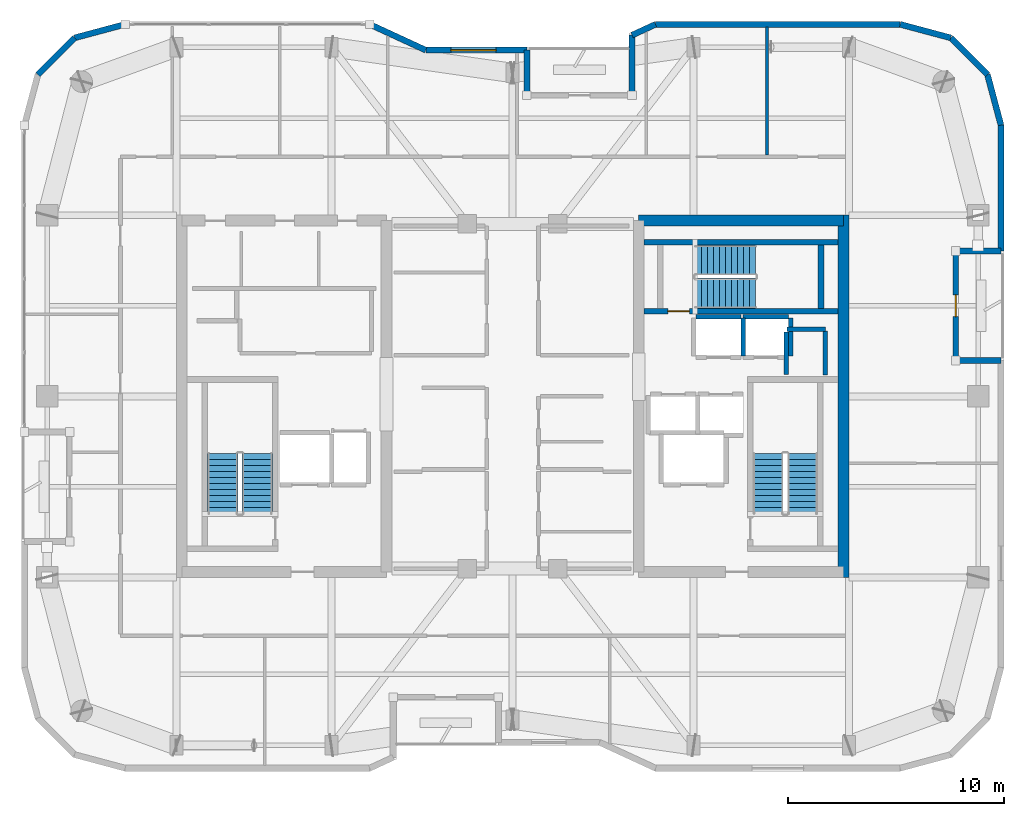
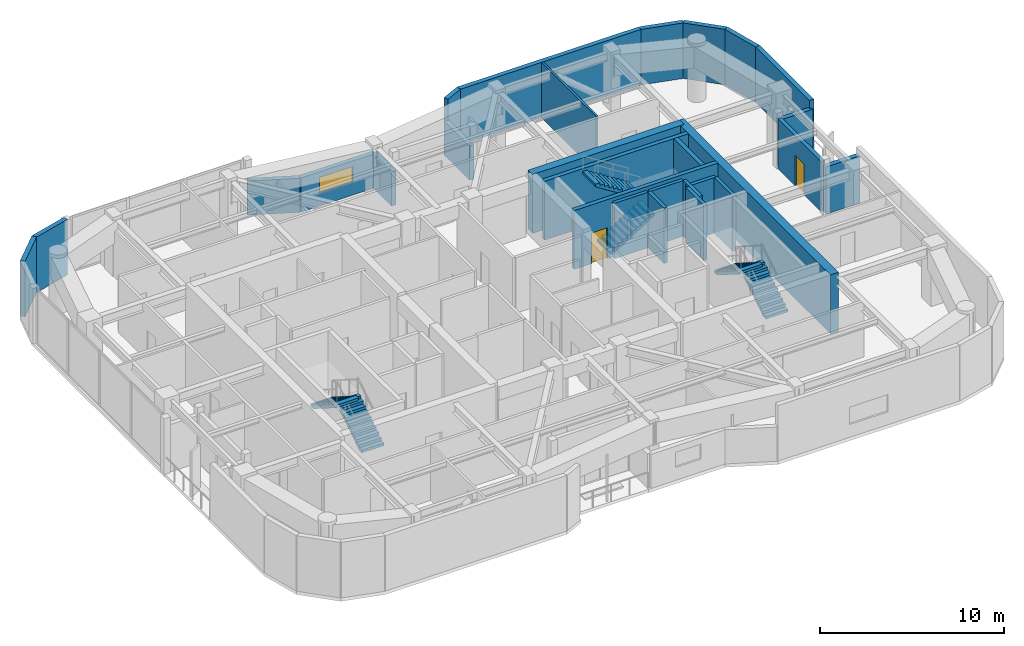
# One storey, part 13 of 15: 28 walls, 6 stair flights, 2 doors, 1 window, 3 openings, 3 elements without a shape of their own.
"""IFC4 building model written with IfcOpenShell, lengths in metres."""

from ifc_helpers import new_model, si_unit, direction, frame, frame_2d, origin, place, context, subcontext, project, spatial, polyline, rectangle, outline, extrude, material, layer, layer_set, type_object, element, fill, aggregate, save


model = new_model("IFC4")

# Units and contexts
model_context = context("Model", 3, precision=1e-05, world=origin(), true_north=direction((0.0, 1.0)))
body_context = subcontext(model_context, "Body", "Model", "MODEL_VIEW")
ifc_project = project(units=[si_unit("LENGTHUNIT", "METRE"), si_unit("AREAUNIT", "SQUARE_METRE"), si_unit("VOLUMEUNIT", "CUBIC_METRE"), si_unit("PLANEANGLEUNIT", "RADIAN"), si_unit("MASSUNIT", "GRAM", prefix="KILO")], contexts=[model_context])

# Site, building, storey
site_placement = place(None, origin())
site = spatial("IfcSite", under=ifc_project, at=site_placement, CompositionType="ELEMENT")
building_placement = place(site_placement, origin())
building = spatial("IfcBuilding", under=site, at=building_placement, Name="Kiyonajd Concourse Tower", CompositionType="ELEMENT")
storey_placement = place(building_placement, frame((0.0, 0.0, 262.800048828125)))
storey = spatial("IfcBuildingStorey", under=building, at=storey_placement, Name="L66", CompositionType="ELEMENT", Elevation=262.800048828125)

# Walls
ifc_material_1 = material(Name="Concrete C60/75", Category="concrete")
ifc_layer_1 = layer(ifc_material_1, 0.5)
ifc_layer_set_1 = layer_set([ifc_layer_1], Name="Concrete C60/75")
wall_type_1 = type_object("IfcWallType", Name="WL-CORE-500", PredefinedType="SHEAR", material=ifc_layer_set_1)
wall_1_placement = place(storey_placement, frame((63.35009765625, 27.60009765625, 0.0), z_axis=(0.0, 0.0, 1.0), x_axis=(0.0, 1.0, 0.0)))
element("IfcWall", 1, at=wall_1_placement, inside=storey, type_object=wall_type_1, Name="L66 East Core Outer Shear Wall", PredefinedType="SHEAR", context=body_context, shape_type="SweptSolid", body=[
    extrude(rectangle(XDim=16.7998046875, YDim=0.5, at=frame_2d((8.39990234375, 0.0))), origin(), (0.0, 0.0, 1.0), 3.89990234375),
])
wall_2_placement = place(storey_placement, frame((53.85009765625, 44.14990234375, 0.0), z_axis=(0.0, 0.0, 1.0), x_axis=(1.0, 0.0, 0.0)))
element("IfcWall", 2, at=wall_2_placement, inside=storey, type_object=wall_type_1, Name="L66 East Core North Shear Wall", PredefinedType="SHEAR", context=body_context, shape_type="SweptSolid", body=[
    extrude(rectangle(XDim=9.5, YDim=0.5, at=frame_2d((4.75, 0.0))), origin(), (0.0, 0.0, 1.0), 3.89990234375),
])
ifc_material_2 = material(Name="Precast concrete C50/60", Category="concrete")
ifc_layer_2 = layer(ifc_material_2, 0.280029296875)
ifc_layer_set_2 = layer_set([ifc_layer_2], Name="Precast concrete C50/60")
wall_type_2 = type_object("IfcWallType", Name="WL-EXT-280", PredefinedType="SOLIDWALL", material=ifc_layer_set_2)
wall_3_placement = place(storey_placement, frame((25.968505859375, 50.927490234375, 0.0), z_axis=(0.0, 0.0, 1.0), x_axis=(0.707106781187, 0.707106781187, 0.0)))
element("IfcWall", 3, at=wall_3_placement, inside=storey, type_object=wall_type_2, Name="L66 Exterior Concrete Frame Wall 07", PredefinedType="SOLIDWALL", context=body_context, shape_type="SweptSolid", body=[
    extrude(rectangle(XDim=2.409912109375, YDim=0.280029296875, at=frame_2d((1.205078125, 0.0))), origin(), (0.0, 0.0, 1.0), 3.679931640625),
])
wall_4_placement = place(storey_placement, frame((27.672607421875, 52.631591796875, 0.0), z_axis=(0.0, 0.0, 1.0), x_axis=(0.965937282298, 0.25877628691, 0.0)))
element("IfcWall", 4, at=wall_4_placement, inside=storey, type_object=wall_type_2, Name="L66 Exterior Concrete Frame Wall 08", PredefinedType="SOLIDWALL", context=body_context, shape_type="SweptSolid", body=[
    extrude(rectangle(XDim=2.428466796875, YDim=0.280029296875, at=frame_2d((1.21435546875, 0.0))), origin(), (0.0, 0.0, 1.0), 3.679931640625),
])
wall_5_placement = place(storey_placement, frame((41.369384765625, 53.260009765625, 0.0), z_axis=(0.0, 0.0, 1.0), x_axis=(0.907956889006, -0.419063584324, 0.0)))
element("IfcWall", 5, at=wall_5_placement, inside=storey, type_object=wall_type_2, Name="L66 Exterior Concrete Frame Wall 10", PredefinedType="SOLIDWALL", context=body_context, shape_type="SweptSolid", body=[
    extrude(rectangle(XDim=2.863525390625, YDim=0.280029296875, at=frame_2d((1.431640625, 0.0))), origin(), (0.0, 0.0, 1.0), 2.264892578125),
])

# Wall, opening, window
wall_6_placement = place(storey_placement, frame((43.96923828125, 52.06005859375, 0.0), z_axis=(0.0, 0.0, 1.0), x_axis=(1.0, 0.0, 0.0)))
wall_6 = element("IfcWall", 6, at=wall_6_placement, inside=storey, type_object=wall_type_2, Name="L66 Exterior Concrete Frame Wall 11", PredefinedType="SOLIDWALL", context=body_context, shape_type="SweptSolid", body=[
    extrude(rectangle(XDim=4.690673828125, YDim=0.280029296875, at=frame_2d((2.34521484375, 0.0))), origin(), (0.0, 0.0, 1.0), 2.264892578125),
])
opening_1_placement = place(wall_6_placement, frame((1.159912109375, 0.0, 0.85009765625)))
opening_1 = element("IfcOpeningElement", 7, at=opening_1_placement, cuts=wall_6, Name="Opening WN5", PredefinedType="OPENING", context=body_context, shape_type="SweptSolid", body=[
    extrude(rectangle(XDim=2.10009765625, YDim=1.050048828125, at=frame_2d((1.050048828125, 0.52490234375))), frame((0.0, 0.14990234375, 0.0), z_axis=(0.0, -1.0, 0.0), x_axis=(1.0, 0.0, 0.0)), (0.0, 0.0, 1.0), 0.300048828125),
])
ifc_material_3 = material(Name="Double Low-E Insulated Glass", Category="glass")
window_type = type_object("IfcWindowType", Name="WN-VIS-2100x1050", PartitioningType="SINGLE_PANEL", PredefinedType="WINDOW", material=ifc_material_3)
window_placement = place(opening_1_placement, origin())
window = element("IfcWindow", 8, at=window_placement, inside=storey, type_object=window_type, Name="L66 Modular Facade Vision Window 11", OverallHeight=1.050048828125, OverallWidth=2.10009765625, PartitioningType="SINGLE_PANEL", PredefinedType="WINDOW", context=body_context, shape_type="SweptSolid", body=[
    extrude(rectangle(XDim=2.10009765625, YDim=1.050048828125, at=frame_2d((1.050048828125, 0.52490234375))), frame((0.0, 0.030029296875, 0.0), z_axis=(0.0, -1.0, 0.0), x_axis=(1.0, 0.0, 0.0)), (0.0, 0.0, 1.0), 0.06005859375),
])
fill(opening_1, window)

# Walls
wall_7_placement = place(storey_placement, frame((48.659912109375, 52.06005859375, 0.0), z_axis=(0.0, 0.0, 1.0), x_axis=(0.0, -1.0, 0.0)))
element("IfcWall", 9, at=wall_7_placement, inside=storey, type_object=wall_type_2, Name="L66 Exterior Concrete Frame Wall 12", PredefinedType="SOLIDWALL", context=body_context, shape_type="SweptSolid", body=[
    extrude(rectangle(XDim=2.10009765625, YDim=0.280029296875, at=frame_2d((1.050048828125, 0.0))), origin(), (0.0, 0.0, 1.0), 2.264892578125),
])
wall_8_placement = place(storey_placement, frame((53.5400390625, 49.9599609375, 0.0), z_axis=(0.0, 0.0, 1.0), x_axis=(0.0, 1.0, 0.0)))
element("IfcWall", 10, at=wall_8_placement, inside=storey, type_object=wall_type_2, Name="L66 Exterior Concrete Frame Wall 14", PredefinedType="SOLIDWALL", context=body_context, shape_type="SweptSolid", body=[
    extrude(rectangle(XDim=2.79638671875, YDim=0.280029296875, at=frame_2d((1.398193359375, 0.0))), origin(), (0.0, 0.0, 1.0), 2.264892578125),
])
wall_9_placement = place(storey_placement, frame((53.5400390625, 52.75634765625, 0.0), z_axis=(0.0, 0.0, 1.0), x_axis=(0.907893953211, 0.419199916176, 0.0)))
element("IfcWall", 11, at=wall_9_placement, inside=storey, type_object=wall_type_2, Name="L66 Exterior Concrete Frame Wall 15", PredefinedType="SOLIDWALL", context=body_context, shape_type="SweptSolid", body=[
    extrude(rectangle(XDim=1.201416015625, YDim=0.280029296875, at=frame_2d((0.6005859375, 0.0))), origin(), (0.0, 0.0, 1.0), 3.679931640625),
])
wall_10_placement = place(storey_placement, frame((54.630859375, 53.260009765625, 0.0), z_axis=(0.0, 0.0, 1.0), x_axis=(1.0, 0.0, 0.0)))
element("IfcWall", 12, at=wall_10_placement, inside=storey, type_object=wall_type_2, Name="L66 Exterior Concrete Frame Wall 16", PredefinedType="SOLIDWALL", context=body_context, shape_type="SweptSolid", body=[
    extrude(rectangle(XDim=11.350830078125, YDim=0.280029296875, at=frame_2d((5.67529296875, 0.0))), origin(), (0.0, 0.0, 1.0), 3.679931640625),
])
wall_11_placement = place(storey_placement, frame((65.981689453125, 53.260009765625, 0.0), z_axis=(0.0, 0.0, 1.0), x_axis=(0.965937282298, -0.25877628691, 0.0)))
element("IfcWall", 13, at=wall_11_placement, inside=storey, type_object=wall_type_2, Name="L66 Exterior Concrete Frame Wall 17", PredefinedType="SOLIDWALL", context=body_context, shape_type="SweptSolid", body=[
    extrude(rectangle(XDim=2.428466796875, YDim=0.280029296875, at=frame_2d((1.21435546875, 0.0))), origin(), (0.0, 0.0, 1.0), 3.679931640625),
])
wall_12_placement = place(storey_placement, frame((68.327392578125, 52.631591796875, 0.0), z_axis=(0.0, 0.0, 1.0), x_axis=(0.707106781187, -0.707106781187, 0.0)))
element("IfcWall", 14, at=wall_12_placement, inside=storey, type_object=wall_type_2, Name="L66 Exterior Concrete Frame Wall 18", PredefinedType="SOLIDWALL", context=body_context, shape_type="SweptSolid", body=[
    extrude(rectangle(XDim=2.409912109375, YDim=0.280029296875, at=frame_2d((1.205078125, 0.0))), origin(), (0.0, 0.0, 1.0), 3.679931640625),
])
wall_13_placement = place(storey_placement, frame((70.031494140625, 50.927490234375, 0.0), z_axis=(0.0, 0.0, 1.0), x_axis=(0.258751159445, -0.965944013639, 0.0)))
element("IfcWall", 15, at=wall_13_placement, inside=storey, type_object=wall_type_2, Name="L66 Exterior Concrete Frame Wall 19", PredefinedType="SOLIDWALL", context=body_context, shape_type="SweptSolid", body=[
    extrude(rectangle(XDim=2.4287109375, YDim=0.280029296875, at=frame_2d((1.21435546875, 0.0))), origin(), (0.0, 0.0, 1.0), 3.679931640625),
])
wall_14_placement = place(storey_placement, frame((70.659912109375, 48.58154296875, 0.0), z_axis=(0.0, 0.0, 1.0), x_axis=(0.0, -1.0, 0.0)))
element("IfcWall", 16, at=wall_14_placement, inside=storey, type_object=wall_type_2, Name="L66 Exterior Concrete Frame Wall 20", PredefinedType="SOLIDWALL", context=body_context, shape_type="SweptSolid", body=[
    extrude(rectangle(XDim=5.841552734375, YDim=0.280029296875, at=frame_2d((2.9208984375, 0.0))), origin(), (0.0, 0.0, 1.0), 3.679931640625),
])
for number, where, z_axis, x_axis, name in (
    (17, (70.659912109375, 42.739990234375, 0.0), (0.0, 0.0, 1.0), (-1.0, 0.0, 0.0), "L66 Exterior Concrete Frame Wall 21"),
    (18, (68.56005859375, 37.659912109375, 0.0), (0.0, 0.0, 1.0), (1.0, 0.0, 0.0), "L66 Exterior Concrete Frame Wall 23"),
):
    element("IfcWall", number, at=place(storey_placement, frame(where, z_axis=z_axis, x_axis=x_axis)), inside=storey, type_object=wall_type_2, Name=name, PredefinedType="SOLIDWALL", context=body_context, shape_type="SweptSolid", body=[
        extrude(rectangle(XDim=2.099853515625, YDim=0.280029296875, at=frame_2d((1.0498046875, 0.0))), origin(), (0.0, 0.0, 1.0), 3.1259765625),
    ])

# Wall, opening, door
ifc_layer_3 = layer(ifc_material_2, 0.239990234375)
ifc_layer_set_3 = layer_set([ifc_layer_3], Name="Precast concrete C50/60")
wall_type_3 = type_object("IfcWallType", Name="WL-LOG-240", PredefinedType="SOLIDWALL", material=ifc_layer_set_3)
wall_15_placement = place(storey_placement, frame((68.56005859375, 42.544921875, 0.0), z_axis=(0.0, 0.0, 1.0), x_axis=(0.0, -1.0, 0.0)))
wall_15 = element("IfcWall", 19, at=wall_15_placement, inside=storey, type_object=wall_type_3, Name="L66 Recessed Loggia Thermal Wall LOG-E", PredefinedType="SOLIDWALL", context=body_context, shape_type="SweptSolid", body=[
    extrude(rectangle(XDim=4.68994140625, YDim=0.239990234375, at=frame_2d((2.344970703125, 0.0))), origin(), (0.0, 0.0, 1.0), 3.31103515625),
])
opening_2_placement = place(wall_15_placement, frame((1.844970703125, 0.0, 0.0)))
opening_2 = element("IfcOpeningElement", 20, at=opening_2_placement, cuts=wall_15, Name="Opening DL1", PredefinedType="OPENING", context=body_context, shape_type="SweptSolid", body=[
    extrude(rectangle(XDim=1.0, YDim=2.02001953125, at=frame_2d((0.5, 1.010009765625))), frame((0.0, 0.1298828125, 0.0), z_axis=(0.0, -1.0, 0.0), x_axis=(1.0, 0.0, 0.0)), (0.0, 0.0, 1.0), 0.260009765625),
])
ifc_material_4 = material(Name="Thermally Broken Anodised Aluminium", Category="aluminium")
door_type_1 = type_object("IfcDoorType", Name="DR-LOG-1000", OperationType="NOTDEFINED", PredefinedType="DOOR", material=ifc_material_4)
door_1_placement = place(opening_2_placement, origin())
door_1 = element("IfcDoor", 21, at=door_1_placement, inside=storey, type_object=door_type_1, Name="L66 Engawa Loggia Access Door LOG-E", OperationType="SINGLE_SWING_LEFT", OverallHeight=2.02001953125, OverallWidth=1.0, PredefinedType="DOOR", context=body_context, shape_type="SweptSolid", body=[
    extrude(rectangle(XDim=1.0, YDim=2.02001953125, at=frame_2d((0.5, 1.010009765625))), frame((0.0, 0.02490234375, 0.0), z_axis=(0.0, -1.0, 0.0), x_axis=(1.0, 0.0, 0.0)), (0.0, 0.0, 1.0), 0.050048828125),
])
fill(opening_2, door_1)

# Walls
ifc_material_5 = material(Name="Gypsum Board on Cold-Formed Steel Stud", Category="steel")
ifc_layer_4 = layer(ifc_material_5, 0.125)
ifc_layer_set_4 = layer_set([ifc_layer_4], Name="Gypsum Board on Cold-Formed Steel Stud")
wall_type_4 = type_object("IfcWallType", Name="WL-PART-125", PredefinedType="PARTITIONING", material=ifc_layer_set_4)
wall_16_placement = place(storey_placement, frame((59.800048828125, 47.197021484375, 0.0), z_axis=(0.0, 0.0, 1.0), x_axis=(0.0, 1.0, 0.0)))
element("IfcWall", 22, at=wall_16_placement, inside=storey, type_object=wall_type_4, Name="L66 Interior Partition Wall", PredefinedType="PARTITIONING", context=body_context, shape_type="SweptSolid", body=[
    extrude(rectangle(XDim=5.927978515625, YDim=0.125, at=frame_2d((2.9638671875, 0.0))), origin(), (0.0, 0.0, 1.0), 3.679931640625),
])
ifc_layer_5 = layer(ifc_material_5, 0.2099609375)
ifc_layer_set_5 = layer_set([ifc_layer_5], Name="Gypsum Board on Cold-Formed Steel Stud")
wall_type_5 = type_object("IfcWallType", Name="WL-SHAFT-210", PredefinedType="PARTITIONING", material=ifc_layer_set_5)
wall_17_placement = place(storey_placement, frame((60.719970703125, 39.10009765625, 0.0), z_axis=(0.0, 0.0, 1.0), x_axis=(1.0, 0.0, 0.0)))
element("IfcWall", 23, at=wall_17_placement, inside=storey, type_object=wall_type_5, Name="L66 Shaft Enclosure Wall", PredefinedType="PARTITIONING", context=body_context, shape_type="SweptSolid", body=[
    extrude(rectangle(XDim=1.800048828125, YDim=0.2099609375, at=frame_2d((0.89990234375, 0.0))), origin(), (0.0, 0.0, 1.0), 3.679931640625),
])
wall_18_placement = place(storey_placement, frame((60.699951171875, 37.02001953125, 0.0), z_axis=(0.0, 0.0, 1.0), x_axis=(0.0, 1.0, 0.0)))
element("IfcWall", 24, at=wall_18_placement, inside=storey, type_object=wall_type_5, Name="L66 Shaft Enclosure Wall", PredefinedType="PARTITIONING", context=body_context, shape_type="SweptSolid", body=[
    extrude(rectangle(XDim=1.9599609375, YDim=0.2099609375, at=frame_2d((0.97998046875, 0.0))), origin(), (0.0, 0.0, 1.0), 3.679931640625),
])
wall_19_placement = place(storey_placement, frame((62.5, 36.97998046875, 0.0), z_axis=(0.0, 0.0, 1.0), x_axis=(0.0, 1.0, 0.0)))
element("IfcWall", 25, at=wall_19_placement, inside=storey, type_object=wall_type_5, Name="L66 Shaft Enclosure Wall", PredefinedType="PARTITIONING", context=body_context, shape_type="SweptSolid", body=[
    extrude(rectangle(XDim=2.0400390625, YDim=0.2099609375, at=frame_2d((1.02001953125, 0.0))), origin(), (0.0, 0.0, 1.0), 3.679931640625),
])
wall_20_placement = place(storey_placement, frame((56.5, 39.699951171875, 0.0), z_axis=(0.0, 0.0, 1.0), x_axis=(1.0, 0.0, 0.0)))
element("IfcWall", 26, at=wall_20_placement, inside=storey, type_object=wall_type_5, Name="L66 Shaft Enclosure Wall", PredefinedType="PARTITIONING", context=body_context, shape_type="SweptSolid", body=[
    extrude(rectangle(XDim=2.10009765625, YDim=0.2099609375, at=frame_2d((1.050048828125, 0.0))), origin(), (0.0, 0.0, 1.0), 3.679931640625),
])
wall_21_placement = place(storey_placement, frame((58.699951171875, 37.860107421875, 0.0), z_axis=(0.0, 0.0, 1.0), x_axis=(0.0, 1.0, 0.0)))
element("IfcWall", 27, at=wall_21_placement, inside=storey, type_object=wall_type_5, Name="L66 Shaft Enclosure Wall", PredefinedType="PARTITIONING", context=body_context, shape_type="SweptSolid", body=[
    extrude(rectangle(XDim=1.77978515625, YDim=0.2099609375, at=frame_2d((0.889892578125, 0.0))), origin(), (0.0, 0.0, 1.0), 3.679931640625),
])
wall_22_placement = place(storey_placement, frame((58.699951171875, 39.699951171875, 0.0), z_axis=(0.0, 0.0, 1.0), x_axis=(1.0, 0.0, 0.0)))
element("IfcWall", 28, at=wall_22_placement, inside=storey, type_object=wall_type_5, Name="L66 Shaft Enclosure Wall", PredefinedType="PARTITIONING", context=body_context, shape_type="SweptSolid", body=[
    extrude(rectangle(XDim=2.10009765625, YDim=0.2099609375, at=frame_2d((1.050048828125, 0.0))), origin(), (0.0, 0.0, 1.0), 3.679931640625),
])
wall_23_placement = place(storey_placement, frame((60.89990234375, 37.860107421875, 0.0), z_axis=(0.0, 0.0, 1.0), x_axis=(0.0, 1.0, 0.0)))
element("IfcWall", 29, at=wall_23_placement, inside=storey, type_object=wall_type_5, Name="L66 Shaft Enclosure Wall", PredefinedType="PARTITIONING", context=body_context, shape_type="SweptSolid", body=[
    extrude(rectangle(XDim=1.77978515625, YDim=0.2099609375, at=frame_2d((0.889892578125, 0.0))), origin(), (0.0, 0.0, 1.0), 3.679931640625),
])

# Wall, opening, door
ifc_material_6 = material(Name="Concrete C50/60", Category="concrete")
ifc_layer_6 = layer(ifc_material_6, 0.260009765625)
ifc_layer_set_6 = layer_set([ifc_layer_6], Name="Concrete C50/60")
wall_type_6 = type_object("IfcWallType", Name="WL-STAIR-260", PredefinedType="SHEAR", material=ifc_layer_set_6)
wall_24_placement = place(storey_placement, frame((54.10009765625, 39.949951171875, 0.0), z_axis=(0.0, 0.0, 1.0), x_axis=(1.0, 0.0, 0.0)))
wall_24 = element("IfcWall", 30, at=wall_24_placement, inside=storey, type_object=wall_type_6, Name="L66 Stair ST3 Structural South Wall", PredefinedType="SHEAR", context=body_context, shape_type="SweptSolid", body=[
    extrude(rectangle(XDim=9.0, YDim=0.260009765625, at=frame_2d((4.5, 0.0))), origin(), (0.0, 0.0, 1.0), 3.89990234375),
])
opening_3_placement = place(wall_24_placement, frame((1.10009765625, 0.0, 0.0)))
opening_3 = element("IfcOpeningElement", 31, at=opening_3_placement, cuts=wall_24, Name="Opening DF1", PredefinedType="OPENING", context=body_context, shape_type="SweptSolid", body=[
    extrude(rectangle(XDim=1.0, YDim=2.0400390625, at=frame_2d((0.5, 1.02001953125))), frame((0.0, 0.139892578125, 0.0), z_axis=(0.0, -1.0, 0.0), x_axis=(1.0, 0.0, 0.0)), (0.0, 0.0, 1.0), 0.280029296875),
])
ifc_material_7 = material(Name="Brushed Stainless Steel Cab Assembly", Category="steel")
door_type_2 = type_object("IfcDoorType", Name="DR-FD90-1000", OperationType="NOTDEFINED", PredefinedType="DOOR", material=ifc_material_7)
door_2_placement = place(opening_3_placement, origin())
door_2 = element("IfcDoor", 32, at=door_2_placement, inside=storey, type_object=door_type_2, Name="L66 Stair ST3 Enclosure Door", OperationType="SINGLE_SWING_LEFT", OverallHeight=2.0400390625, OverallWidth=1.0, PredefinedType="DOOR", context=body_context, shape_type="SweptSolid", body=[
    extrude(rectangle(XDim=1.0, YDim=2.0400390625, at=frame_2d((0.5, 1.02001953125))), frame((0.0, 0.02490234375, 0.0), z_axis=(0.0, -1.0, 0.0), x_axis=(1.0, 0.0, 0.0)), (0.0, 0.0, 1.0), 0.050048828125),
])
fill(opening_3, door_2)

# Walls
wall_25_placement = place(storey_placement, frame((54.10009765625, 43.14990234375, 0.0), z_axis=(0.0, 0.0, 1.0), x_axis=(1.0, 0.0, 0.0)))
element("IfcWall", 33, at=wall_25_placement, inside=storey, type_object=wall_type_6, Name="L66 Stair ST3 Structural North Wall", PredefinedType="SHEAR", context=body_context, shape_type="SweptSolid", body=[
    extrude(rectangle(XDim=9.0, YDim=0.260009765625, at=frame_2d((4.5, 0.0))), origin(), (0.0, 0.0, 1.0), 3.89990234375),
])
wall_26_placement = place(storey_placement, frame((62.31005859375, 40.080078125, 0.0), z_axis=(0.0, 0.0, 1.0), x_axis=(0.0, 1.0, 0.0)))
element("IfcWall", 34, at=wall_26_placement, inside=storey, type_object=wall_type_6, Name="L66 Stair ST3 Structural East Wall", PredefinedType="SHEAR", context=body_context, shape_type="SweptSolid", body=[
    extrude(rectangle(XDim=2.93994140625, YDim=0.260009765625, at=frame_2d((1.469970703125, 0.0))), origin(), (0.0, 0.0, 1.0), 3.89990234375),
])

# Stair, stair flights
ifc_material_8 = material(Name="Concrete C40/50", Category="concrete")
stair_type = type_object("IfcStairType", Name="ST-DLG-22R", PredefinedType="HALF_TURN_STAIR", material=ifc_material_8)
stair_1_placement = place(storey_placement, origin())
stair_1 = element("IfcStair", 35, at=stair_1_placement, inside=storey, type_object=stair_type, Name="L66 Protected Exit Stair ST1", PredefinedType="HALF_TURN_STAIR")
stair_flight_type = type_object("IfcStairFlightType", Name="SF-STR-22R", PredefinedType="STRAIGHT", material=ifc_material_8)
stair_flight_1_placement = place(storey_placement, frame((36.14990234375, 30.550048828125, 0.0), z_axis=(0.0, 0.0, 1.0), x_axis=(0.0, 1.0, 0.0)))
stair_flight_1 = element("IfcStairFlight", 36, at=stair_flight_1_placement, type_object=stair_flight_type, Name="ST1 flight 1", NumberOfRisers=11, NumberOfTreads=10, PredefinedType="STRAIGHT", RiserHeight=0.177272727, TreadLength=0.28, context=body_context, shape_type="SweptSolid", body=[
    extrude(outline(polyline([(0.0, 0.0), (0.0, 0.17724609375), (0.280029296875, 0.17724609375), (0.280029296875, 0.3544921875), (0.56005859375, 0.3544921875), (0.56005859375, 0.53173828125), (0.840087890625, 0.53173828125), (0.840087890625, 0.708984375), (1.1201171875, 0.708984375), (1.1201171875, 0.886474609375), (1.39990234375, 0.886474609375), (1.39990234375, 1.063720703125), (1.679931640625, 1.063720703125), (1.679931640625, 1.240966796875), (1.9599609375, 1.240966796875), (1.9599609375, 1.418212890625), (2.239990234375, 1.418212890625), (2.239990234375, 1.595458984375), (2.52001953125, 1.595458984375), (2.52001953125, 1.772705078125), (2.800048828125, 1.772705078125), (2.800048828125, 1.949951171875), (2.800048828125, 1.59521484375), (0.2802734375, 0.0), (0.0, 0.0)])), frame((0.0, 0.699951171875, 0.0), z_axis=(0.0, -1.0, 0.0), x_axis=(1.0, 0.0, 0.0)), (0.0, 0.0, 1.0), 1.39990234375),
])
stair_flight_2_placement = place(storey_placement, frame((34.550048828125, 33.35009765625, 1.949951171875), z_axis=(0.0, 0.0, 1.0), x_axis=(0.0, -1.0, 0.0)))
stair_flight_2 = element("IfcStairFlight", 37, at=stair_flight_2_placement, type_object=stair_flight_type, Name="ST1 flight 2", NumberOfRisers=11, NumberOfTreads=10, PredefinedType="STRAIGHT", RiserHeight=0.177272727, TreadLength=0.28, context=body_context, shape_type="SweptSolid", body=[
    extrude(outline(polyline([(0.0, 0.0), (0.0, 0.17724609375), (0.280029296875, 0.17724609375), (0.280029296875, 0.3544921875), (0.56005859375, 0.3544921875), (0.56005859375, 0.53173828125), (0.840087890625, 0.53173828125), (0.840087890625, 0.708984375), (1.1201171875, 0.708984375), (1.1201171875, 0.886474609375), (1.39990234375, 0.886474609375), (1.39990234375, 1.063720703125), (1.679931640625, 1.063720703125), (1.679931640625, 1.240966796875), (1.9599609375, 1.240966796875), (1.9599609375, 1.418212890625), (2.239990234375, 1.418212890625), (2.239990234375, 1.595458984375), (2.52001953125, 1.595458984375), (2.52001953125, 1.772705078125), (2.800048828125, 1.772705078125), (2.800048828125, 1.949951171875), (2.800048828125, 1.59521484375), (0.2802734375, 0.0), (0.0, 0.0)])), frame((0.0, 0.699951171875, 0.0), z_axis=(0.0, -1.0, 0.0), x_axis=(1.0, 0.0, 0.0)), (0.0, 0.0, 1.0), 1.39990234375),
])
aggregate(stair_1, [stair_flight_1, stair_flight_2])

stair_2_placement = place(storey_placement, origin())
stair_2 = element("IfcStair", 38, at=stair_2_placement, inside=storey, type_object=stair_type, Name="L66 Protected Exit Stair ST2", PredefinedType="HALF_TURN_STAIR")
stair_flight_3_placement = place(storey_placement, frame((61.449951171875, 30.550048828125, 0.0), z_axis=(0.0, 0.0, 1.0), x_axis=(0.0, 1.0, 0.0)))
stair_flight_3 = element("IfcStairFlight", 39, at=stair_flight_3_placement, type_object=stair_flight_type, Name="ST2 flight 1", NumberOfRisers=11, NumberOfTreads=10, PredefinedType="STRAIGHT", RiserHeight=0.177272727, TreadLength=0.28, context=body_context, shape_type="SweptSolid", body=[
    extrude(outline(polyline([(0.0, 0.0), (0.0, 0.17724609375), (0.280029296875, 0.17724609375), (0.280029296875, 0.3544921875), (0.56005859375, 0.3544921875), (0.56005859375, 0.53173828125), (0.840087890625, 0.53173828125), (0.840087890625, 0.708984375), (1.1201171875, 0.708984375), (1.1201171875, 0.886474609375), (1.39990234375, 0.886474609375), (1.39990234375, 1.063720703125), (1.679931640625, 1.063720703125), (1.679931640625, 1.240966796875), (1.9599609375, 1.240966796875), (1.9599609375, 1.418212890625), (2.239990234375, 1.418212890625), (2.239990234375, 1.595458984375), (2.52001953125, 1.595458984375), (2.52001953125, 1.772705078125), (2.800048828125, 1.772705078125), (2.800048828125, 1.949951171875), (2.800048828125, 1.59521484375), (0.2802734375, 0.0), (0.0, 0.0)])), frame((0.0, 0.699951171875, 0.0), z_axis=(0.0, -1.0, 0.0), x_axis=(1.0, 0.0, 0.0)), (0.0, 0.0, 1.0), 1.39990234375),
])
stair_flight_4_placement = place(storey_placement, frame((59.85009765625, 33.35009765625, 1.949951171875), z_axis=(0.0, 0.0, 1.0), x_axis=(0.0, -1.0, 0.0)))
stair_flight_4 = element("IfcStairFlight", 40, at=stair_flight_4_placement, type_object=stair_flight_type, Name="ST2 flight 2", NumberOfRisers=11, NumberOfTreads=10, PredefinedType="STRAIGHT", RiserHeight=0.177272727, TreadLength=0.28, context=body_context, shape_type="SweptSolid", body=[
    extrude(outline(polyline([(0.0, 0.0), (0.0, 0.17724609375), (0.280029296875, 0.17724609375), (0.280029296875, 0.3544921875), (0.56005859375, 0.3544921875), (0.56005859375, 0.53173828125), (0.840087890625, 0.53173828125), (0.840087890625, 0.708984375), (1.1201171875, 0.708984375), (1.1201171875, 0.886474609375), (1.39990234375, 0.886474609375), (1.39990234375, 1.063720703125), (1.679931640625, 1.063720703125), (1.679931640625, 1.240966796875), (1.9599609375, 1.240966796875), (1.9599609375, 1.418212890625), (2.239990234375, 1.418212890625), (2.239990234375, 1.595458984375), (2.52001953125, 1.595458984375), (2.52001953125, 1.772705078125), (2.800048828125, 1.772705078125), (2.800048828125, 1.949951171875), (2.800048828125, 1.59521484375), (0.2802734375, 0.0), (0.0, 0.0)])), frame((0.0, 0.699951171875, 0.0), z_axis=(0.0, -1.0, 0.0), x_axis=(1.0, 0.0, 0.0)), (0.0, 0.0, 1.0), 1.39990234375),
])
aggregate(stair_2, [stair_flight_3, stair_flight_4])

stair_3_placement = place(storey_placement, origin())
stair_3 = element("IfcStair", 41, at=stair_3_placement, inside=storey, type_object=stair_type, Name="L66 Protected Exit Stair ST3", PredefinedType="HALF_TURN_STAIR")
stair_flight_5_placement = place(storey_placement, frame((56.47998046875, 40.780029296875, 0.0), z_axis=(0.0, 0.0, 1.0), x_axis=(1.0, 0.0, 0.0)))
stair_flight_5 = element("IfcStairFlight", 42, at=stair_flight_5_placement, type_object=stair_flight_type, Name="ST3 flight 1", NumberOfRisers=11, NumberOfTreads=10, PredefinedType="STRAIGHT", RiserHeight=0.177272727, TreadLength=0.28, context=body_context, shape_type="SweptSolid", body=[
    extrude(outline(polyline([(0.0, 0.0), (0.0, 0.17724609375), (0.280029296875, 0.17724609375), (0.280029296875, 0.3544921875), (0.56005859375, 0.3544921875), (0.56005859375, 0.53173828125), (0.840087890625, 0.53173828125), (0.840087890625, 0.708984375), (1.1201171875, 0.708984375), (1.1201171875, 0.886474609375), (1.39990234375, 0.886474609375), (1.39990234375, 1.063720703125), (1.679931640625, 1.063720703125), (1.679931640625, 1.240966796875), (1.9599609375, 1.240966796875), (1.9599609375, 1.418212890625), (2.239990234375, 1.418212890625), (2.239990234375, 1.595458984375), (2.52001953125, 1.595458984375), (2.52001953125, 1.772705078125), (2.800048828125, 1.772705078125), (2.800048828125, 1.949951171875), (2.800048828125, 1.59521484375), (0.2802734375, 0.0), (0.0, 0.0)])), frame((0.0, 0.699951171875, 0.0), z_axis=(0.0, -1.0, 0.0), x_axis=(1.0, 0.0, 0.0)), (0.0, 0.0, 1.0), 1.39990234375),
])
stair_flight_6_placement = place(storey_placement, frame((59.280029296875, 42.320068359375, 1.949951171875), z_axis=(0.0, 0.0, 1.0), x_axis=(-1.0, 0.0, 0.0)))
stair_flight_6 = element("IfcStairFlight", 43, at=stair_flight_6_placement, type_object=stair_flight_type, Name="ST3 flight 2", NumberOfRisers=11, NumberOfTreads=10, PredefinedType="STRAIGHT", RiserHeight=0.177272727, TreadLength=0.28, context=body_context, shape_type="SweptSolid", body=[
    extrude(outline(polyline([(0.0, 0.0), (0.0, 0.17724609375), (0.280029296875, 0.17724609375), (0.280029296875, 0.3544921875), (0.56005859375, 0.3544921875), (0.56005859375, 0.53173828125), (0.840087890625, 0.53173828125), (0.840087890625, 0.708984375), (1.1201171875, 0.708984375), (1.1201171875, 0.886474609375), (1.39990234375, 0.886474609375), (1.39990234375, 1.063720703125), (1.679931640625, 1.063720703125), (1.679931640625, 1.240966796875), (1.9599609375, 1.240966796875), (1.9599609375, 1.418212890625), (2.239990234375, 1.418212890625), (2.239990234375, 1.595458984375), (2.52001953125, 1.595458984375), (2.52001953125, 1.772705078125), (2.800048828125, 1.772705078125), (2.800048828125, 1.949951171875), (2.800048828125, 1.59521484375), (0.2802734375, 0.0), (0.0, 0.0)])), frame((0.0, 0.699951171875, 0.0), z_axis=(0.0, -1.0, 0.0), x_axis=(1.0, 0.0, 0.0)), (0.0, 0.0, 1.0), 1.39990234375),
])
aggregate(stair_3, [stair_flight_5, stair_flight_6])

save(model, "model.ifc")
